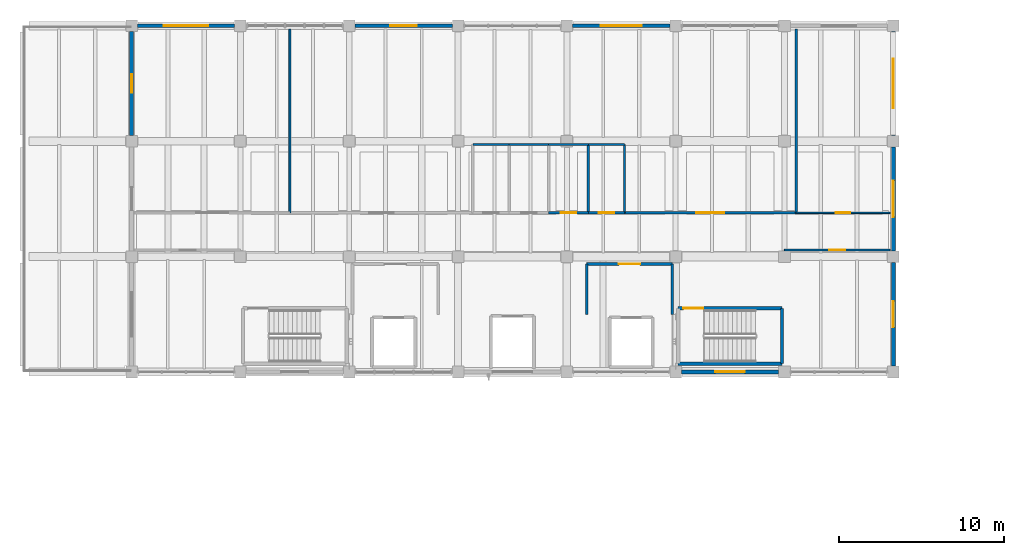
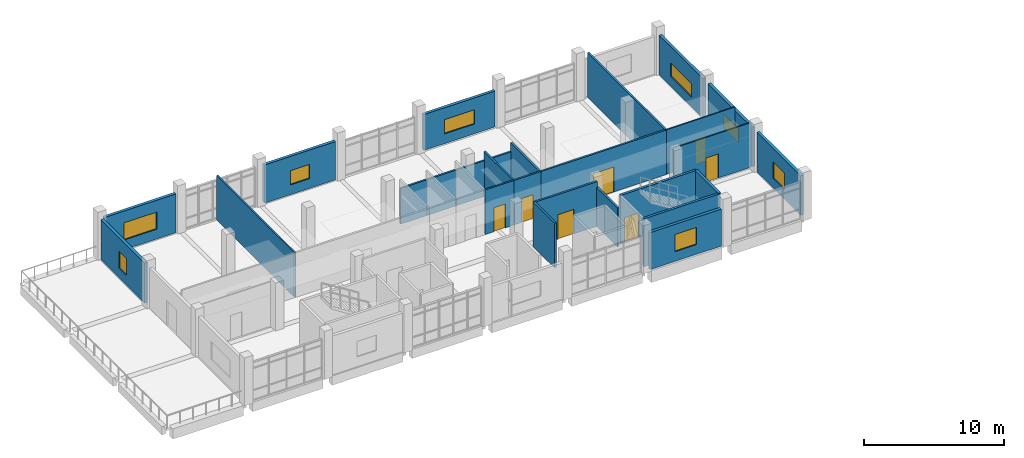
# One storey, part 15 of 20: 27 walls, 8 windows, 7 doors, 15 openings.
"""IFC4 building model written with IfcOpenShell, lengths in metres."""

import ifcopenshell
import ifcopenshell.guid

model = None  # the IFC model being written
_history = None  # IfcOwnerHistory: only IFC2X3 demands one
_inside = {}  # id of a spatial element -> (the spatial element, [elements in it])
_under = {}  # id of a project, library or spatial element -> (it, [spatial elements below it])
_declared = {}  # id of a project -> (the project, [libraries it declares])
_typed = {}  # id of a type object -> (the type object, [elements of that type])
_made_of = {}  # id of a material, layer set ... -> (it, [elements and type objects made of it])


def new_model(schema):
    """Start an empty IFC model of exactly this schema.

    Asked for "IFC4X3", IfcOpenShell would pick the latest addendum, in which some entities
    have other attributes; the version numbers below select the first issue.
    IFC2X3 requires an IfcOwnerHistory on every rooted entity: one is made here for all.
    """
    global model, _history
    if schema == "IFC4X3":
        model = ifcopenshell.file(schema_version=(4, 3, 0, 0))
    else:
        model = ifcopenshell.file(schema=schema)
    _inside.clear()
    _under.clear()
    _declared.clear()
    _typed.clear()
    _made_of.clear()
    _history = None
    if model.schema == "IFC2X3":
        org = make("IfcOrganization", Name="unknown")
        user = make(
            "IfcPersonAndOrganization",
            ThePerson=make("IfcPerson", FamilyName="unknown"),
            TheOrganization=org,
        )
        app = make(
            "IfcApplication",
            ApplicationDeveloper=org,
            Version="unknown",
            ApplicationFullName="unknown",
            ApplicationIdentifier="unknown",
        )
        _history = make(
            "IfcOwnerHistory",
            OwningUser=user,
            OwningApplication=app,
            ChangeAction="ADDED",
            CreationDate=0,
        )
    return model


def make(cls, **values):
    """One entity of the class cls with the attributes given. An attribute that is None is left unset."""
    return model.create_entity(
        cls, **{name: value for name, value in values.items() if value is not None}
    )


def rooted(cls, **values):
    """An entity with a GlobalId (a new one), such as an element, a storey or a relation."""
    return make(cls, GlobalId=ifcopenshell.guid.new(), OwnerHistory=_history, **values)


def si_unit(unit_type, name, prefix=None):
    """IfcSIUnit, for example si_unit("LENGTHUNIT", "METRE", prefix="MILLI")."""
    return make("IfcSIUnit", UnitType=unit_type, Prefix=prefix, Name=name)


def assignment(units):
    """IfcUnitAssignment: the units of a project."""
    return None if units is None else make("IfcUnitAssignment", Units=units)


def point(xyz):
    """IfcCartesianPoint."""
    return None if xyz is None else make("IfcCartesianPoint", Coordinates=xyz)


def direction(xyz):
    """IfcDirection."""
    return None if xyz is None else make("IfcDirection", DirectionRatios=xyz)


def frame(location, z_axis=None, x_axis=None):
    """IfcAxis2Placement3D, a coordinate frame: its origin and axes. An axis left out is left unset."""
    return make(
        "IfcAxis2Placement3D",
        Location=point(location),
        Axis=direction(z_axis),
        RefDirection=direction(x_axis),
    )


def frame_2d(location, x_axis=None):
    """IfcAxis2Placement2D, a coordinate frame in the plane: its origin and x axis."""
    return make(
        "IfcAxis2Placement2D", Location=point(location), RefDirection=direction(x_axis)
    )


def origin():
    """The frame at (0, 0, 0) with its axes left unset."""
    return frame((0.0, 0.0, 0.0))


def place(relative_to, where):
    """IfcLocalPlacement: puts the frame where relative to a parent placement (None: the world)."""
    return make(
        "IfcLocalPlacement", PlacementRelTo=relative_to, RelativePlacement=where
    )


def context(
    kind, dimensions, precision=None, world=None, true_north=None, identifier=None
):
    """IfcGeometricRepresentationContext, for example the 3D "Model" context."""
    return make(
        "IfcGeometricRepresentationContext",
        ContextIdentifier=identifier,
        ContextType=kind,
        CoordinateSpaceDimension=dimensions,
        Precision=precision,
        WorldCoordinateSystem=world,
        TrueNorth=true_north,
    )


def subcontext(parent, identifier, kind, view, scale=None):
    """IfcGeometricRepresentationSubContext, for example "Body" below "Model"."""
    return make(
        "IfcGeometricRepresentationSubContext",
        ContextIdentifier=identifier,
        ContextType=kind,
        ParentContext=parent,
        TargetScale=scale,
        TargetView=view,
    )


def project(units=None, contexts=None):
    """IfcProject with its units and contexts."""
    return rooted(
        "IfcProject",
        Name="project",
        RepresentationContexts=contexts,
        UnitsInContext=assignment(units),
    )


def spatial(cls, under=None, at=None, **own):
    """A site, building, storey or space (cls), placed at a placement, below another one or the project."""
    s = rooted(cls, ObjectPlacement=at, **own)
    if under is not None:
        _under.setdefault(under.id(), (under, []))[1].append(s)
    return s


def profile(cls, at=None, kind="AREA", **sizes):
    """A parametric profile (cls). Its sizes go by their IFC names, for example OverallWidth=200.0."""
    return make(cls, ProfileType=kind, Position=at, **sizes)


def rectangle(**sizes):
    """IfcRectangleProfileDef."""
    return profile("IfcRectangleProfileDef", **sizes)


def extrude(swept, where, along, depth):
    """IfcExtrudedAreaSolid: the profile swept, set in the frame where, extruded along a direction by depth."""
    return make(
        "IfcExtrudedAreaSolid",
        SweptArea=swept,
        Position=where,
        ExtrudedDirection=direction(along),
        Depth=depth,
    )


def shape(context_of_items, identifier, shape_type, items):
    """IfcShapeRepresentation: the items that make up one representation, for example the "Body"."""
    return make(
        "IfcShapeRepresentation",
        ContextOfItems=context_of_items,
        RepresentationIdentifier=identifier,
        RepresentationType=shape_type,
        Items=items,
    )


def material(Name=None, Category=None):
    """IfcMaterial."""
    return make("IfcMaterial", Name=Name, Category=Category)


def layer(
    of_material, thickness, ventilated=None, Name=None, Category=None, Priority=None
):
    """IfcMaterialLayer: one layer of a wall or slab, of a material (None: an air gap)."""
    return make(
        "IfcMaterialLayer",
        Material=of_material,
        LayerThickness=thickness,
        IsVentilated=ventilated,
        Name=Name,
        Category=Category,
        Priority=Priority,
    )


def layer_set(layers, Name=None):
    """IfcMaterialLayerSet."""
    return make("IfcMaterialLayerSet", MaterialLayers=layers, LayerSetName=Name)


def made_of(thing, what):
    """Note that an element or type object is made of a material, layer set ...; save() writes the relation."""
    if what is not None:
        _made_of.setdefault(what.id(), (what, []))[1].append(thing)
    return thing


def type_object(cls, material=None, **own):
    """A type object (cls), such as IfcWallType, which elements share."""
    return made_of(rooted(cls, **own), material)


def element(
    cls,
    number,
    at=None,
    inside=None,
    cuts=None,
    type_object=None,
    material=None,
    context=None,
    identifier="Body",
    shape_type=None,
    held_by="IfcProductDefinitionShape",
    body=None,
    shapes=None,
    **own,
):
    """One element of the class cls, such as IfcWall. Its Tag is "e" and its number.

    at: its placement. inside: the storey or other place that contains it. cuts: it is an
    opening in that element (IfcRelVoidsElement). A single representation is given by context,
    identifier, shape_type and body (its items); several are given by shapes. held_by: the class
    of the entity that holds the representations. save() writes the other relations.
    """
    e = rooted(cls, Tag="e%d" % number, ObjectPlacement=at, **own)
    if body is not None:
        shapes = [shape(context, identifier, shape_type, body)]
    if shapes is not None:
        e.Representation = make(held_by, Representations=shapes)
    if inside is not None:
        _inside.setdefault(inside.id(), (inside, []))[1].append(e)
    if cuts is not None:
        rooted(
            "IfcRelVoidsElement", RelatingBuildingElement=cuts, RelatedOpeningElement=e
        )
    if type_object is not None:
        _typed.setdefault(type_object.id(), (type_object, []))[1].append(e)
    return made_of(e, material)


def fill(opening, filler):
    """IfcRelFillsElement: the door or window that sits in an opening."""
    return rooted(
        "IfcRelFillsElement",
        RelatingOpeningElement=opening,
        RelatedBuildingElement=filler,
    )


def aggregate(whole, parts):
    """IfcRelAggregates: a whole, such as a stair, and the parts it consists of."""
    return rooted("IfcRelAggregates", RelatingObject=whole, RelatedObjects=parts)


def save(model, path):
    """Write the relations noted so far, then the file.

    IfcRelAggregates (storeys below a building ...), IfcRelContainedInSpatialStructure (elements
    in a storey), IfcRelDefinesByType, IfcRelAssociatesMaterial and IfcRelDeclares: one each for
    every whole, place, type object, material and project.
    """
    for whole, parts in _under.values():
        aggregate(whole, parts)
    for where, things in _inside.values():
        rooted(
            "IfcRelContainedInSpatialStructure",
            RelatedElements=things,
            RelatingStructure=where,
        )
    for kind, things in _typed.values():
        rooted("IfcRelDefinesByType", RelatedObjects=things, RelatingType=kind)
    for what, things in _made_of.values():
        rooted("IfcRelAssociatesMaterial", RelatedObjects=things, RelatingMaterial=what)
    for by, libraries in _declared.values():
        rooted("IfcRelDeclares", RelatingContext=by, RelatedDefinitions=libraries)
    model.write(path)


model = new_model("IFC4")

# Units and contexts
model_context = context("Model", 3, precision=1e-05, world=origin(), true_north=direction((0.0, 1.0)))
body_context = subcontext(model_context, "Body", "Model", "MODEL_VIEW")
ifc_project = project(units=[si_unit("LENGTHUNIT", "METRE"), si_unit("AREAUNIT", "SQUARE_METRE"), si_unit("VOLUMEUNIT", "CUBIC_METRE"), si_unit("PLANEANGLEUNIT", "RADIAN"), si_unit("MASSUNIT", "GRAM", prefix="KILO")], contexts=[model_context])

# Site, building, storey
site_placement = place(None, origin())
site = spatial("IfcSite", under=ifc_project, at=site_placement, CompositionType="ELEMENT")
building_placement = place(site_placement, origin())
building = spatial("IfcBuilding", under=site, at=building_placement, Name="Ciguamira Faculty of Natural Sciences", CompositionType="ELEMENT")
storey_placement = place(building_placement, frame((0.0, 0.0, 21.0)))
storey = spatial("IfcBuildingStorey", under=building, at=storey_placement, Name="L05", CompositionType="ELEMENT", Elevation=21.0)

# Wall, opening, window
ifc_material_1 = material(Name="Precast concrete C40/50", Category="concrete")
ifc_layer_1 = layer(ifc_material_1, 0.239990234375, Name="Precast concrete C40/50")
ifc_layer_set_1 = layer_set([ifc_layer_1], Name="Precast concrete C40/50")
wall_type_1 = type_object("IfcWallType", Name="ExtWall_EW-02_240", PredefinedType="SOLIDWALL", material=ifc_layer_set_1)
wall_1_placement = place(storey_placement, frame((97.25, 94.0, 0.0), z_axis=(0.0, 0.0, 1.0), x_axis=(1.0, 0.0, 0.0)))
wall_1 = element("IfcWall", 1, at=wall_1_placement, inside=storey, type_object=wall_type_1, Name="L05 exterior wall 0337", PredefinedType="SOLIDWALL", context=body_context, shape_type="SweptSolid", body=[
    extrude(rectangle(XDim=5.89990234375, YDim=0.239990234375, at=frame_2d((2.949951171875, 0.0))), origin(), (0.0, 0.0, 1.0), 3.235107421875),
])
opening_1_placement = place(wall_1_placement, frame((2.050048828125, 0.0, 0.85009765625)))
opening_1 = element("IfcOpeningElement", 2, at=opening_1_placement, cuts=wall_1, Name="Opening WT-10", PredefinedType="OPENING", context=body_context, shape_type="SweptSolid", body=[
    extrude(rectangle(XDim=1.800048828125, YDim=1.5, at=frame_2d((0.89990234375, 0.75))), frame((0.0, 0.1298828125, 0.0), z_axis=(0.0, -1.0, 0.0), x_axis=(1.0, 0.0, 0.0)), (0.0, 0.0, 1.0), 0.260009765625),
])
ifc_material_2 = material(Name="Hurricane laminated solar glass", Category="glass")
window_type_1 = type_object("IfcWindowType", Name="Window_WT-10_1800x1500", PartitioningType="DOUBLE_PANEL_VERTICAL", PredefinedType="WINDOW", material=ifc_material_2)
window_1_placement = place(opening_1_placement, origin())
window_1 = element("IfcWindow", 3, at=window_1_placement, inside=storey, type_object=window_type_1, Name="L05 facade window 0227", OverallHeight=1.5, OverallWidth=1.800048828125, PartitioningType="SINGLE_PANEL", PredefinedType="WINDOW", context=body_context, shape_type="SweptSolid", body=[
    extrude(rectangle(XDim=1.800048828125, YDim=1.5, at=frame_2d((0.89990234375, 0.75))), frame((0.0, 0.030029296875, 0.0), z_axis=(0.0, -1.0, 0.0), x_axis=(1.0, 0.0, 0.0)), (0.0, 0.0, 1.0), 0.06005859375),
])
fill(opening_1, window_1)

wall_2_placement = place(storey_placement, frame((64.25, 115.0, 0.0), z_axis=(0.0, 0.0, 1.0), x_axis=(1.0, 0.0, 0.0)))
wall_2 = element("IfcWall", 4, at=wall_2_placement, inside=storey, type_object=wall_type_1, Name="L05 exterior wall 0338", PredefinedType="SOLIDWALL", context=body_context, shape_type="SweptSolid", body=[
    extrude(rectangle(XDim=5.89990234375, YDim=0.239990234375, at=frame_2d((2.949951171875, 0.0))), origin(), (0.0, 0.0, 1.0), 3.385009765625),
])
opening_2_placement = place(wall_2_placement, frame((1.60009765625, 0.0, 0.85009765625)))
opening_2 = element("IfcOpeningElement", 5, at=opening_2_placement, cuts=wall_2, Name="Opening WT-13", PredefinedType="OPENING", context=body_context, shape_type="SweptSolid", body=[
    extrude(rectangle(XDim=2.699951171875, YDim=1.5, at=frame_2d((1.35009765625, 0.75))), frame((0.0, 0.1298828125, 0.0), z_axis=(0.0, -1.0, 0.0), x_axis=(1.0, 0.0, 0.0)), (0.0, 0.0, 1.0), 0.260009765625),
])
window_type_2 = type_object("IfcWindowType", Name="Window_WT-13_2700x1500", PartitioningType="DOUBLE_PANEL_VERTICAL", PredefinedType="WINDOW", material=ifc_material_2)
window_2_placement = place(opening_2_placement, origin())
window_2 = element("IfcWindow", 6, at=window_2_placement, inside=storey, type_object=window_type_2, Name="L05 facade window 0228", OverallHeight=1.5, OverallWidth=2.699951171875, PartitioningType="SINGLE_PANEL", PredefinedType="WINDOW", context=body_context, shape_type="SweptSolid", body=[
    extrude(rectangle(XDim=2.699951171875, YDim=1.5, at=frame_2d((1.35009765625, 0.75))), frame((0.0, 0.030029296875, 0.0), z_axis=(0.0, -1.0, 0.0), x_axis=(1.0, 0.0, 0.0)), (0.0, 0.0, 1.0), 0.06005859375),
])
fill(opening_2, window_2)

wall_3_placement = place(storey_placement, frame((77.449951171875, 115.0, 0.0), z_axis=(0.0, 0.0, 1.0), x_axis=(1.0, 0.0, 0.0)))
wall_3 = element("IfcWall", 7, at=wall_3_placement, inside=storey, type_object=wall_type_1, Name="L05 exterior wall 0339", PredefinedType="SOLIDWALL", context=body_context, shape_type="SweptSolid", body=[
    extrude(rectangle(XDim=5.900146484375, YDim=0.239990234375, at=frame_2d((2.9501953125, 0.0))), origin(), (0.0, 0.0, 1.0), 3.344970703125),
])
opening_3_placement = place(wall_3_placement, frame((2.14990234375, 0.0, 0.85009765625)))
opening_3 = element("IfcOpeningElement", 8, at=opening_3_placement, cuts=wall_3, Name="Opening WT-16", PredefinedType="OPENING", context=body_context, shape_type="SweptSolid", body=[
    extrude(rectangle(XDim=1.60009765625, YDim=1.25, at=frame_2d((0.800048828125, 0.625))), frame((0.0, 0.1298828125, 0.0), z_axis=(0.0, -1.0, 0.0), x_axis=(1.0, 0.0, 0.0)), (0.0, 0.0, 1.0), 0.260009765625),
])
window_type_3 = type_object("IfcWindowType", Name="Window_WT-16_1600x1250", PartitioningType="DOUBLE_PANEL_VERTICAL", PredefinedType="WINDOW", material=ifc_material_2)
window_3_placement = place(opening_3_placement, origin())
window_3 = element("IfcWindow", 9, at=window_3_placement, inside=storey, type_object=window_type_3, Name="L05 facade window 0229", OverallHeight=1.25, OverallWidth=1.60009765625, PartitioningType="SINGLE_PANEL", PredefinedType="WINDOW", context=body_context, shape_type="SweptSolid", body=[
    extrude(rectangle(XDim=1.60009765625, YDim=1.25, at=frame_2d((0.800048828125, 0.625))), frame((0.0, 0.030029296875, 0.0), z_axis=(0.0, -1.0, 0.0), x_axis=(1.0, 0.0, 0.0)), (0.0, 0.0, 1.0), 0.06005859375),
])
fill(opening_3, window_3)

wall_4_placement = place(storey_placement, frame((90.64990234375, 115.0, 0.0), z_axis=(0.0, 0.0, 1.0), x_axis=(1.0, 0.0, 0.0)))
wall_4 = element("IfcWall", 10, at=wall_4_placement, inside=storey, type_object=wall_type_1, Name="L05 exterior wall 0340", PredefinedType="SOLIDWALL", context=body_context, shape_type="SweptSolid", body=[
    extrude(rectangle(XDim=5.900146484375, YDim=0.239990234375, at=frame_2d((2.9501953125, 0.0))), origin(), (0.0, 0.0, 1.0), 3.135009765625),
])
opening_4_placement = place(wall_4_placement, frame((1.699951171875, 0.0, 0.85009765625)))
opening_4 = element("IfcOpeningElement", 11, at=opening_4_placement, cuts=wall_4, Name="Opening WT-19", PredefinedType="OPENING", context=body_context, shape_type="SweptSolid", body=[
    extrude(rectangle(XDim=2.5, YDim=1.25, at=frame_2d((1.25, 0.625))), frame((0.0, 0.1298828125, 0.0), z_axis=(0.0, -1.0, 0.0), x_axis=(1.0, 0.0, 0.0)), (0.0, 0.0, 1.0), 0.260009765625),
])
window_type_4 = type_object("IfcWindowType", Name="Window_WT-19_2500x1250", PartitioningType="DOUBLE_PANEL_VERTICAL", PredefinedType="WINDOW", material=ifc_material_2)
window_4_placement = place(opening_4_placement, origin())
window_4 = element("IfcWindow", 12, at=window_4_placement, inside=storey, type_object=window_type_4, Name="L05 facade window 0230", OverallHeight=1.25, OverallWidth=2.5, PartitioningType="SINGLE_PANEL", PredefinedType="WINDOW", context=body_context, shape_type="SweptSolid", body=[
    extrude(rectangle(XDim=2.5, YDim=1.25, at=frame_2d((1.25, 0.625))), frame((0.0, 0.030029296875, 0.0), z_axis=(0.0, -1.0, 0.0), x_axis=(1.0, 0.0, 0.0)), (0.0, 0.0, 1.0), 0.06005859375),
])
fill(opening_4, window_4)

wall_5_placement = place(storey_placement, frame((63.89990234375, 108.35009765625, 0.0), z_axis=(0.0, 0.0, 1.0), x_axis=(0.0, 1.0, 0.0)))
wall_5 = element("IfcWall", 13, at=wall_5_placement, inside=storey, type_object=wall_type_1, Name="L05 exterior wall 0344", PredefinedType="SOLIDWALL", context=body_context, shape_type="SweptSolid", body=[
    extrude(rectangle(XDim=6.2998046875, YDim=0.239990234375, at=frame_2d((3.14990234375, 0.0))), origin(), (0.0, 0.0, 1.0), 3.5048828125),
])
opening_5_placement = place(wall_5_placement, frame((2.60009765625, 0.0, 0.85009765625)))
opening_5 = element("IfcOpeningElement", 14, at=opening_5_placement, cuts=wall_5, Name="Opening WT-27", PredefinedType="OPENING", context=body_context, shape_type="SweptSolid", body=[
    extrude(rectangle(XDim=1.10009765625, YDim=1.449951171875, at=frame_2d((0.550048828125, 0.72509765625))), frame((0.0, 0.1298828125, 0.0), z_axis=(0.0, -1.0, 0.0), x_axis=(1.0, 0.0, 0.0)), (0.0, 0.0, 1.0), 0.260009765625),
])
window_type_5 = type_object("IfcWindowType", Name="Window_WT-27_1100x1450", PartitioningType="DOUBLE_PANEL_VERTICAL", PredefinedType="WINDOW", material=ifc_material_2)
window_5_placement = place(opening_5_placement, origin())
window_5 = element("IfcWindow", 15, at=window_5_placement, inside=storey, type_object=window_type_5, Name="L05 facade window 0233", OverallHeight=1.449951171875, OverallWidth=1.10009765625, PartitioningType="SINGLE_PANEL", PredefinedType="WINDOW", context=body_context, shape_type="SweptSolid", body=[
    extrude(rectangle(XDim=1.10009765625, YDim=1.449951171875, at=frame_2d((0.550048828125, 0.72509765625))), frame((0.0, 0.030029296875, 0.0), z_axis=(0.0, -1.0, 0.0), x_axis=(1.0, 0.0, 0.0)), (0.0, 0.0, 1.0), 0.06005859375),
])
fill(opening_5, window_5)

wall_6_placement = place(storey_placement, frame((110.10009765625, 94.35009765625, 0.0), z_axis=(0.0, 0.0, 1.0), x_axis=(0.0, 1.0, 0.0)))
wall_6 = element("IfcWall", 16, at=wall_6_placement, inside=storey, type_object=wall_type_1, Name="L05 exterior wall 0345", PredefinedType="SOLIDWALL", context=body_context, shape_type="SweptSolid", body=[
    extrude(rectangle(XDim=6.2998046875, YDim=0.239990234375, at=frame_2d((3.14990234375, 0.0))), origin(), (0.0, 0.0, 1.0), 3.465087890625),
])
opening_6_placement = place(wall_6_placement, frame((2.35009765625, 0.0, 0.85009765625)))
opening_6 = element("IfcOpeningElement", 17, at=opening_6_placement, cuts=wall_6, Name="Opening WT-29", PredefinedType="OPENING", context=body_context, shape_type="SweptSolid", body=[
    extrude(rectangle(XDim=1.60009765625, YDim=1.449951171875, at=frame_2d((0.800048828125, 0.72509765625))), frame((0.0, 0.1298828125, 0.0), z_axis=(0.0, -1.0, 0.0), x_axis=(1.0, 0.0, 0.0)), (0.0, 0.0, 1.0), 0.260009765625),
])
window_type_6 = type_object("IfcWindowType", Name="Window_WT-29_1600x1450", PartitioningType="DOUBLE_PANEL_VERTICAL", PredefinedType="WINDOW", material=ifc_material_2)
window_6_placement = place(opening_6_placement, origin())
window_6 = element("IfcWindow", 18, at=window_6_placement, inside=storey, type_object=window_type_6, Name="L05 facade window 0234", OverallHeight=1.449951171875, OverallWidth=1.60009765625, PartitioningType="SINGLE_PANEL", PredefinedType="WINDOW", context=body_context, shape_type="SweptSolid", body=[
    extrude(rectangle(XDim=1.60009765625, YDim=1.449951171875, at=frame_2d((0.800048828125, 0.72509765625))), frame((0.0, 0.030029296875, 0.0), z_axis=(0.0, -1.0, 0.0), x_axis=(1.0, 0.0, 0.0)), (0.0, 0.0, 1.0), 0.06005859375),
])
fill(opening_6, window_6)

wall_7_placement = place(storey_placement, frame((110.10009765625, 101.35009765625, 0.0), z_axis=(0.0, 0.0, 1.0), x_axis=(0.0, 1.0, 0.0)))
wall_7 = element("IfcWall", 19, at=wall_7_placement, inside=storey, type_object=wall_type_1, Name="L05 exterior wall 0346", PredefinedType="SOLIDWALL", context=body_context, shape_type="SweptSolid", body=[
    extrude(rectangle(XDim=6.2998046875, YDim=0.239990234375, at=frame_2d((3.14990234375, 0.0))), origin(), (0.0, 0.0, 1.0), 3.465087890625),
])
opening_7_placement = place(wall_7_placement, frame((2.050048828125, 0.0, 0.85009765625)))
opening_7 = element("IfcOpeningElement", 20, at=opening_7_placement, cuts=wall_7, Name="Opening WT-31", PredefinedType="OPENING", context=body_context, shape_type="SweptSolid", body=[
    extrude(rectangle(XDim=2.199951171875, YDim=1.199951171875, at=frame_2d((1.10009765625, 0.60009765625))), frame((0.0, 0.1298828125, 0.0), z_axis=(0.0, -1.0, 0.0), x_axis=(1.0, 0.0, 0.0)), (0.0, 0.0, 1.0), 0.260009765625),
])
window_type_7 = type_object("IfcWindowType", Name="Window_WT-31_2200x1200", PartitioningType="DOUBLE_PANEL_VERTICAL", PredefinedType="WINDOW", material=ifc_material_2)
window_7_placement = place(opening_7_placement, origin())
window_7 = element("IfcWindow", 21, at=window_7_placement, inside=storey, type_object=window_type_7, Name="L05 facade window 0235", OverallHeight=1.199951171875, OverallWidth=2.199951171875, PartitioningType="SINGLE_PANEL", PredefinedType="WINDOW", context=body_context, shape_type="SweptSolid", body=[
    extrude(rectangle(XDim=2.199951171875, YDim=1.199951171875, at=frame_2d((1.10009765625, 0.60009765625))), frame((0.0, 0.030029296875, 0.0), z_axis=(0.0, -1.0, 0.0), x_axis=(1.0, 0.0, 0.0)), (0.0, 0.0, 1.0), 0.06005859375),
])
fill(opening_7, window_7)

wall_8_placement = place(storey_placement, frame((110.10009765625, 108.35009765625, 0.0), z_axis=(0.0, 0.0, 1.0), x_axis=(0.0, 1.0, 0.0)))
wall_8 = element("IfcWall", 22, at=wall_8_placement, inside=storey, type_object=wall_type_1, Name="L05 exterior wall 0347", PredefinedType="SOLIDWALL", context=body_context, shape_type="SweptSolid", body=[
    extrude(rectangle(XDim=6.2998046875, YDim=0.239990234375, at=frame_2d((3.14990234375, 0.0))), origin(), (0.0, 0.0, 1.0), 3.465087890625),
])
opening_8_placement = place(wall_8_placement, frame((1.64990234375, 0.0, 0.85009765625)))
opening_8 = element("IfcOpeningElement", 23, at=opening_8_placement, cuts=wall_8, Name="Opening WT-33", PredefinedType="OPENING", context=body_context, shape_type="SweptSolid", body=[
    extrude(rectangle(XDim=3.0, YDim=1.199951171875, at=frame_2d((1.5, 0.60009765625))), frame((0.0, 0.1298828125, 0.0), z_axis=(0.0, -1.0, 0.0), x_axis=(1.0, 0.0, 0.0)), (0.0, 0.0, 1.0), 0.260009765625),
])
window_type_8 = type_object("IfcWindowType", Name="Window_WT-33_3000x1200", PartitioningType="DOUBLE_PANEL_VERTICAL", PredefinedType="WINDOW", material=ifc_material_2)
window_8_placement = place(opening_8_placement, origin())
window_8 = element("IfcWindow", 24, at=window_8_placement, inside=storey, type_object=window_type_8, Name="L05 facade window 0236", OverallHeight=1.199951171875, OverallWidth=3.0, PartitioningType="SINGLE_PANEL", PredefinedType="WINDOW", context=body_context, shape_type="SweptSolid", body=[
    extrude(rectangle(XDim=3.0, YDim=1.199951171875, at=frame_2d((1.5, 0.60009765625))), frame((0.0, 0.030029296875, 0.0), z_axis=(0.0, -1.0, 0.0), x_axis=(1.0, 0.0, 0.0)), (0.0, 0.0, 1.0), 0.06005859375),
])
fill(opening_8, window_8)

# Wall
ifc_material_3 = material(Name="Concrete C40/50", Category="concrete")
ifc_layer_2 = layer(ifc_material_3, 0.199951171875, Name="Concrete C40/50")
ifc_layer_set_2 = layer_set([ifc_layer_2], Name="Concrete C40/50")
wall_type_2 = type_object("IfcWallType", Name="IntWall_CW-S20_200", PredefinedType="SHEAR", material=ifc_layer_set_2)
wall_9_placement = place(storey_placement, frame((97.050048828125, 94.5, 0.0), z_axis=(0.0, 0.0, 1.0), x_axis=(1.0, 0.0, 0.0)))
element("IfcWall", 25, at=wall_9_placement, inside=storey, type_object=wall_type_2, Name="L05 ST-T2 core shear wall south", PredefinedType="SHEAR", context=body_context, shape_type="SweptSolid", body=[
    extrude(rectangle(XDim=6.300048828125, YDim=0.199951171875, at=frame_2d((3.14990234375, 0.0))), origin(), (0.0, 0.0, 1.0), 4.199951171875),
])

# Wall, opening, door
wall_10_placement = place(storey_placement, frame((97.050048828125, 97.860107421875, 0.0), z_axis=(0.0, 0.0, 1.0), x_axis=(1.0, 0.0, 0.0)))
wall_10 = element("IfcWall", 26, at=wall_10_placement, inside=storey, type_object=wall_type_2, Name="L05 ST-T2 core shear wall north", PredefinedType="SHEAR", context=body_context, shape_type="SweptSolid", body=[
    extrude(rectangle(XDim=6.300048828125, YDim=0.199951171875, at=frame_2d((3.14990234375, 0.0))), origin(), (0.0, 0.0, 1.0), 4.199951171875),
])
opening_9_placement = place(wall_10_placement, frame((0.320068359375, 0.0, 0.0)))
opening_9 = element("IfcOpeningElement", 27, at=opening_9_placement, cuts=wall_10, Name="Opening ID-14", PredefinedType="OPENING", context=body_context, shape_type="SweptSolid", body=[
    extrude(rectangle(XDim=1.199951171875, YDim=2.14990234375, at=frame_2d((0.60009765625, 1.074951171875))), frame((0.0, 0.10986328125, 0.0), z_axis=(0.0, -1.0, 0.0), x_axis=(1.0, 0.0, 0.0)), (0.0, 0.0, 1.0), 0.219970703125),
])
ifc_material_4 = material(Name="Protected exit stair fire door")
door_type_1 = type_object("IfcDoorType", Name="IntDoor_ID-14_1200x2150", OperationType="NOTDEFINED", PredefinedType="DOOR", material=ifc_material_4)
door_1_placement = place(opening_9_placement, frame((1.199951171875, 0.0, 0.0), z_axis=(0.0, 0.0, 1.0), x_axis=(-1.0, 0.0, 0.0)))
door_1 = element("IfcDoor", 28, at=door_1_placement, inside=storey, type_object=door_type_1, Name="L05 ST-T2 exit stair fire door", OperationType="SINGLE_SWING_RIGHT", OverallHeight=2.14990234375, OverallWidth=1.199951171875, PredefinedType="DOOR", context=body_context, shape_type="SweptSolid", body=[
    extrude(rectangle(XDim=1.199951171875, YDim=2.14990234375, at=frame_2d((0.60009765625, 1.074951171875))), frame((0.0, 0.02490234375, 0.0), z_axis=(0.0, -1.0, 0.0), x_axis=(1.0, 0.0, 0.0)), (0.0, 0.0, 1.0), 0.050048828125),
])
fill(opening_9, door_1)

# Wall
wall_11_placement = place(storey_placement, frame((103.35009765625, 94.5, 0.0), z_axis=(0.0, 0.0, 1.0), x_axis=(0.0, 1.0, 0.0)))
element("IfcWall", 29, at=wall_11_placement, inside=storey, type_object=wall_type_2, Name="L05 ST-T2 core shear wall east", PredefinedType="SHEAR", context=body_context, shape_type="SweptSolid", body=[
    extrude(rectangle(XDim=3.360107421875, YDim=0.199951171875, at=frame_2d((1.68017578125, 0.0))), origin(), (0.0, 0.0, 1.0), 4.199951171875),
])

# Wall, opening, door
ifc_material_5 = material(Name="Fire-rated gypsum partition")
ifc_layer_3 = layer(ifc_material_5, 0.10009765625, Name="Fire-rated gypsum partition")
ifc_layer_set_3 = layer_set([ifc_layer_3], Name="Fire-rated gypsum partition")
wall_type_3 = type_object("IfcWallType", Name="IntWall_IW-A10_100", PredefinedType="PARTITIONING", material=ifc_layer_set_3)
wall_12_placement = place(storey_placement, frame((104.199951171875, 103.64990234375, 0.0), z_axis=(0.0, 0.0, 1.0), x_axis=(1.0, 0.0, 0.0)))
wall_12 = element("IfcWall", 30, at=wall_12_placement, inside=storey, type_object=wall_type_3, Name="L05 Senior Research Staff Offices partition south", PredefinedType="PARTITIONING", context=body_context, shape_type="SweptSolid", body=[
    extrude(rectangle(XDim=5.699951171875, YDim=0.10009765625, at=frame_2d((2.85009765625, 0.0))), origin(), (0.0, 0.0, 1.0), 3.89990234375),
])
opening_10_placement = place(wall_12_placement, frame((2.39990234375, 0.0, 0.0)))
opening_10 = element("IfcOpeningElement", 31, at=opening_10_placement, cuts=wall_12, Name="Opening ID-01", PredefinedType="OPENING", context=body_context, shape_type="SweptSolid", body=[
    extrude(rectangle(XDim=0.89990234375, YDim=2.10009765625, at=frame_2d((0.449951171875, 1.050048828125))), frame((0.0, 0.06005859375, 0.0), z_axis=(0.0, -1.0, 0.0), x_axis=(1.0, 0.0, 0.0)), (0.0, 0.0, 1.0), 0.1201171875),
])
ifc_material_6 = material(Name="Single timber office door", Category="wood")
door_type_2 = type_object("IfcDoorType", Name="IntDoor_ID-01_900x2100", OperationType="NOTDEFINED", PredefinedType="DOOR", material=ifc_material_6)
door_2_placement = place(opening_10_placement, origin())
door_2 = element("IfcDoor", 32, at=door_2_placement, inside=storey, type_object=door_type_2, Name="L05 Senior Research Staff Offices door", OperationType="SINGLE_SWING_RIGHT", OverallHeight=2.10009765625, OverallWidth=0.89990234375, PredefinedType="DOOR", context=body_context, shape_type="SweptSolid", body=[
    extrude(rectangle(XDim=0.89990234375, YDim=2.10009765625, at=frame_2d((0.449951171875, 1.050048828125))), frame((0.0, 0.02490234375, 0.0), z_axis=(0.0, -1.0, 0.0), x_axis=(1.0, 0.0, 0.0)), (0.0, 0.0, 1.0), 0.050048828125),
])
fill(opening_10, door_2)

wall_13_placement = place(storey_placement, frame((103.5, 101.39990234375, 0.0), z_axis=(0.0, 0.0, 1.0), x_axis=(1.0, 0.0, 0.0)))
wall_13 = element("IfcWall", 33, at=wall_13_placement, inside=storey, type_object=wall_type_3, Name="L05 Chemical Safety Records Room partition north", PredefinedType="PARTITIONING", context=body_context, shape_type="SweptSolid", body=[
    extrude(rectangle(XDim=6.39990234375, YDim=0.10009765625, at=frame_2d((3.199951171875, 0.0))), origin(), (0.0, 0.0, 1.0), 3.89990234375),
])
opening_11_placement = place(wall_13_placement, frame((2.699951171875, 0.0, 0.0)))
opening_11 = element("IfcOpeningElement", 34, at=opening_11_placement, cuts=wall_13, Name="Opening ID-03", PredefinedType="OPENING", context=body_context, shape_type="SweptSolid", body=[
    extrude(rectangle(XDim=1.0, YDim=2.10009765625, at=frame_2d((0.5, 1.050048828125))), frame((0.0, 0.06005859375, 0.0), z_axis=(0.0, -1.0, 0.0), x_axis=(1.0, 0.0, 0.0)), (0.0, 0.0, 1.0), 0.1201171875),
])
ifc_material_7 = material(Name="Restroom lobby fire door")
door_type_3 = type_object("IfcDoorType", Name="IntDoor_ID-03_1000x2100", OperationType="NOTDEFINED", PredefinedType="DOOR", material=ifc_material_7)
door_3_placement = place(opening_11_placement, frame((1.0, 0.0, 0.0), z_axis=(0.0, 0.0, 1.0), x_axis=(-1.0, 0.0, 0.0)))
door_3 = element("IfcDoor", 35, at=door_3_placement, inside=storey, type_object=door_type_3, Name="L05 Chemical Safety Records Room door", OperationType="SINGLE_SWING_RIGHT", OverallHeight=2.10009765625, OverallWidth=1.0, PredefinedType="DOOR", context=body_context, shape_type="SweptSolid", body=[
    extrude(rectangle(XDim=1.0, YDim=2.10009765625, at=frame_2d((0.5, 1.050048828125))), frame((0.0, 0.02490234375, 0.0), z_axis=(0.0, -1.0, 0.0), x_axis=(1.0, 0.0, 0.0)), (0.0, 0.0, 1.0), 0.050048828125),
])
fill(opening_11, door_3)

# Wall
ifc_material_8 = material(Name="Acoustic double-stud gypsum partition")
ifc_layer_4 = layer(ifc_material_8, 0.1201171875, Name="Acoustic double-stud gypsum partition")
ifc_layer_set_4 = layer_set([ifc_layer_4], Name="Acoustic double-stud gypsum partition")
wall_type_4 = type_object("IfcWallType", Name="IntWall_IW-A12_120", PredefinedType="PARTITIONING", material=ifc_layer_set_4)
wall_14_placement = place(storey_placement, frame((73.5, 103.64990234375, 0.0), z_axis=(0.0, 0.0, 1.0), x_axis=(0.0, 1.0, 0.0)))
element("IfcWall", 36, at=wall_14_placement, inside=storey, type_object=wall_type_4, Name="L05 West Terrace Faculty Seminar Lounge partition east", PredefinedType="PARTITIONING", context=body_context, shape_type="SweptSolid", body=[
    extrude(rectangle(XDim=11.150146484375, YDim=0.1201171875, at=frame_2d((5.5751953125, 0.0))), origin(), (0.0, 0.0, 1.0), 3.89990234375),
])

# Wall, opening, door
ifc_material_9 = material(Name="Fire-rated blockwork wall", Category="masonry")
ifc_layer_5 = layer(ifc_material_9, 0.159912109375, Name="Fire-rated blockwork wall")
ifc_layer_set_5 = layer_set([ifc_layer_5], Name="Fire-rated blockwork wall")
wall_type_5 = type_object("IfcWallType", Name="IntWall_IW-F16_160", PredefinedType="SOLIDWALL", material=ifc_layer_set_5)
wall_15_placement = place(storey_placement, frame((91.5, 100.550048828125, 0.0), z_axis=(0.0, 0.0, 1.0), x_axis=(1.0, 0.0, 0.0)))
wall_15 = element("IfcWall", 37, at=wall_15_placement, inside=storey, type_object=wall_type_5, Name="L05 Firefighting Lift Lobby 2 partition north", PredefinedType="SOLIDWALL", context=body_context, shape_type="SweptSolid", body=[
    extrude(rectangle(XDim=5.199951171875, YDim=0.159912109375, at=frame_2d((2.60009765625, 0.0))), origin(), (0.0, 0.0, 1.0), 3.89990234375),
])
opening_12_placement = place(wall_15_placement, frame((1.949951171875, 0.0, 0.0)))
opening_12 = element("IfcOpeningElement", 38, at=opening_12_placement, cuts=wall_15, Name="Opening ID-15", PredefinedType="OPENING", context=body_context, shape_type="SweptSolid", body=[
    extrude(rectangle(XDim=1.300048828125, YDim=2.14990234375, at=frame_2d((0.64990234375, 1.074951171875))), frame((0.0, 0.08984375, 0.0), z_axis=(0.0, -1.0, 0.0), x_axis=(1.0, 0.0, 0.0)), (0.0, 0.0, 1.0), 0.179931640625),
])
ifc_material_10 = material(Name="Firefighting lift lobby fire door")
door_type_4 = type_object("IfcDoorType", Name="IntDoor_ID-15_1300x2150", OperationType="NOTDEFINED", PredefinedType="DOOR", material=ifc_material_10)
door_4_placement = place(opening_12_placement, frame((1.300048828125, 0.0, 0.0), z_axis=(0.0, 0.0, 1.0), x_axis=(-1.0, 0.0, 0.0)))
door_4 = element("IfcDoor", 39, at=door_4_placement, inside=storey, type_object=door_type_4, Name="L05 Firefighting Lift Lobby 2 door", OperationType="SINGLE_SWING_RIGHT", OverallHeight=2.14990234375, OverallWidth=1.300048828125, PredefinedType="DOOR", context=body_context, shape_type="SweptSolid", body=[
    extrude(rectangle(XDim=1.300048828125, YDim=2.14990234375, at=frame_2d((0.64990234375, 1.074951171875))), frame((0.0, 0.02490234375, 0.0), z_axis=(0.0, -1.0, 0.0), x_axis=(1.0, 0.0, 0.0)), (0.0, 0.0, 1.0), 0.050048828125),
])
fill(opening_12, door_4)

# Walls
wall_16_placement = place(storey_placement, frame((91.5, 97.5, 0.0), z_axis=(0.0, 0.0, 1.0), x_axis=(0.0, 1.0, 0.0)))
element("IfcWall", 40, at=wall_16_placement, inside=storey, type_object=wall_type_5, Name="L05 Firefighting Lift Lobby 2 partition west", PredefinedType="SOLIDWALL", context=body_context, shape_type="SweptSolid", body=[
    extrude(rectangle(XDim=3.050048828125, YDim=0.159912109375, at=frame_2d((1.52490234375, 0.0))), origin(), (0.0, 0.0, 1.0), 3.89990234375),
])
wall_17_placement = place(storey_placement, frame((96.699951171875, 97.5, 0.0), z_axis=(0.0, 0.0, 1.0), x_axis=(0.0, 1.0, 0.0)))
element("IfcWall", 41, at=wall_17_placement, inside=storey, type_object=wall_type_5, Name="L05 Firefighting Lift Lobby 2 partition east", PredefinedType="SOLIDWALL", context=body_context, shape_type="SweptSolid", body=[
    extrude(rectangle(XDim=3.050048828125, YDim=0.159912109375, at=frame_2d((1.52490234375, 0.0))), origin(), (0.0, 0.0, 1.0), 3.405029296875),
])

# Wall, opening, door
ifc_material_11 = material(Name="Acoustic laboratory corridor partition")
ifc_layer_6 = layer(ifc_material_11, 0.14990234375, Name="Acoustic laboratory corridor partition")
ifc_layer_set_6 = layer_set([ifc_layer_6], Name="Acoustic laboratory corridor partition")
wall_type_6 = type_object("IfcWallType", Name="IntWall_IW-G15_150", PredefinedType="PARTITIONING", material=ifc_layer_set_6)
wall_18_placement = place(storey_placement, frame((93.800048828125, 103.64990234375, 0.0), z_axis=(0.0, 0.0, 1.0), x_axis=(1.0, 0.0, 0.0)))
wall_18 = element("IfcWall", 42, at=wall_18_placement, inside=storey, type_object=wall_type_6, Name="L05 Natural Products Synthesis Laboratory partition south", PredefinedType="PARTITIONING", context=body_context, shape_type="SweptSolid", body=[
    extrude(rectangle(XDim=10.39990234375, YDim=0.14990234375, at=frame_2d((5.199951171875, 0.0))), origin(), (0.0, 0.0, 1.0), 3.89990234375),
])
opening_13_placement = place(wall_18_placement, frame((4.35009765625, 0.0, 0.0)))
opening_13 = element("IfcOpeningElement", 43, at=opening_13_placement, cuts=wall_18, Name="Opening ID-18", PredefinedType="OPENING", context=body_context, shape_type="SweptSolid", body=[
    extrude(rectangle(XDim=1.699951171875, YDim=2.199951171875, at=frame_2d((0.85009765625, 1.10009765625))), frame((0.0, 0.0849609375, 0.0), z_axis=(0.0, -1.0, 0.0), x_axis=(1.0, 0.0, 0.0)), (0.0, 0.0, 1.0), 0.169921875),
])
ifc_material_12 = material(Name="Archive vault rated door")
door_type_5 = type_object("IfcDoorType", Name="IntDoor_ID-18_1700x2200", OperationType="NOTDEFINED", PredefinedType="DOOR", material=ifc_material_12)
door_5_placement = place(opening_13_placement, origin())
door_5 = element("IfcDoor", 44, at=door_5_placement, inside=storey, type_object=door_type_5, Name="L05 Natural Products Synthesis Laboratory door", OperationType="SINGLE_SWING_LEFT", OverallHeight=2.199951171875, OverallWidth=1.699951171875, PredefinedType="DOOR", context=body_context, shape_type="SweptSolid", body=[
    extrude(rectangle(XDim=1.699951171875, YDim=2.199951171875, at=frame_2d((0.85009765625, 1.10009765625))), frame((0.0, 0.02490234375, 0.0), z_axis=(0.0, -1.0, 0.0), x_axis=(1.0, 0.0, 0.0)), (0.0, 0.0, 1.0), 0.050048828125),
])
fill(opening_13, door_5)

# Walls
wall_19_placement = place(storey_placement, frame((104.199951171875, 103.64990234375, 0.0), z_axis=(0.0, 0.0, 1.0), x_axis=(0.0, 1.0, 0.0)))
element("IfcWall", 45, at=wall_19_placement, inside=storey, type_object=wall_type_6, Name="L05 Natural Products Synthesis Laboratory partition east", PredefinedType="PARTITIONING", context=body_context, shape_type="SweptSolid", body=[
    extrude(rectangle(XDim=11.150146484375, YDim=0.14990234375, at=frame_2d((5.5751953125, 0.0))), origin(), (0.0, 0.0, 1.0), 3.89990234375),
])
ifc_material_13 = material(Name="Moisture-resistant service chase wall")
ifc_layer_7 = layer(ifc_material_13, 0.139892578125, Name="Moisture-resistant service chase wall")
ifc_layer_set_7 = layer_set([ifc_layer_7], Name="Moisture-resistant service chase wall")
wall_type_7 = type_object("IfcWallType", Name="IntWall_IW-P14_140", PredefinedType="PLUMBINGWALL", material=ifc_layer_set_7)
wall_20_placement = place(storey_placement, frame((84.60009765625, 107.800048828125, 0.0), z_axis=(0.0, 0.0, 1.0), x_axis=(1.0, 0.0, 0.0)))
element("IfcWall", 46, at=wall_20_placement, inside=storey, type_object=wall_type_7, Name="L05 Accessible WC partition north", PredefinedType="PLUMBINGWALL", context=body_context, shape_type="SweptSolid", body=[
    extrude(rectangle(XDim=2.199951171875, YDim=0.139892578125, at=frame_2d((1.10009765625, 0.0))), origin(), (0.0, 0.0, 1.0), 3.135009765625),
])
wall_21_placement = place(storey_placement, frame((86.800048828125, 107.800048828125, 0.0), z_axis=(0.0, 0.0, 1.0), x_axis=(1.0, 0.0, 0.0)))
element("IfcWall", 47, at=wall_21_placement, inside=storey, type_object=wall_type_7, Name="L05 Public Restroom Female partition north", PredefinedType="PLUMBINGWALL", context=body_context, shape_type="SweptSolid", body=[
    extrude(rectangle(XDim=2.39990234375, YDim=0.139892578125, at=frame_2d((1.199951171875, 0.0))), origin(), (0.0, 0.0, 1.0), 3.135009765625),
])

# Wall, opening, door
wall_22_placement = place(storey_placement, frame((89.199951171875, 103.64990234375, 0.0), z_axis=(0.0, 0.0, 1.0), x_axis=(1.0, 0.0, 0.0)))
wall_22 = element("IfcWall", 48, at=wall_22_placement, inside=storey, type_object=wall_type_7, Name="L05 Public Restroom Male partition south", PredefinedType="PLUMBINGWALL", context=body_context, shape_type="SweptSolid", body=[
    extrude(rectangle(XDim=2.400146484375, YDim=0.139892578125, at=frame_2d((1.2001953125, 0.0))), origin(), (0.0, 0.0, 1.0), 3.89990234375),
])
opening_14_placement = place(wall_22_placement, frame((0.72509765625, 0.0, 0.0)))
opening_14 = element("IfcOpeningElement", 49, at=opening_14_placement, cuts=wall_22, Name="Opening ID-02", PredefinedType="OPENING", context=body_context, shape_type="SweptSolid", body=[
    extrude(rectangle(XDim=0.949951171875, YDim=2.10009765625, at=frame_2d((0.47509765625, 1.050048828125))), frame((0.0, 0.079833984375, 0.0), z_axis=(0.0, -1.0, 0.0), x_axis=(1.0, 0.0, 0.0)), (0.0, 0.0, 1.0), 0.159912109375),
])
ifc_material_14 = material(Name="Accessible WC outward-clear door")
door_type_6 = type_object("IfcDoorType", Name="IntDoor_ID-02_950x2100", OperationType="NOTDEFINED", PredefinedType="DOOR", material=ifc_material_14)
door_6_placement = place(opening_14_placement, origin())
door_6 = element("IfcDoor", 50, at=door_6_placement, inside=storey, type_object=door_type_6, Name="L05 Public Restroom Male door", OperationType="SINGLE_SWING_LEFT", OverallHeight=2.10009765625, OverallWidth=0.949951171875, PredefinedType="DOOR", context=body_context, shape_type="SweptSolid", body=[
    extrude(rectangle(XDim=0.949951171875, YDim=2.10009765625, at=frame_2d((0.47509765625, 1.050048828125))), frame((0.0, 0.02490234375, 0.0), z_axis=(0.0, -1.0, 0.0), x_axis=(1.0, 0.0, 0.0)), (0.0, 0.0, 1.0), 0.050048828125),
])
fill(opening_14, door_6)

# Walls
wall_23_placement = place(storey_placement, frame((89.199951171875, 107.800048828125, 0.0), z_axis=(0.0, 0.0, 1.0), x_axis=(1.0, 0.0, 0.0)))
element("IfcWall", 51, at=wall_23_placement, inside=storey, type_object=wall_type_7, Name="L05 Public Restroom Male partition north", PredefinedType="PLUMBINGWALL", context=body_context, shape_type="SweptSolid", body=[
    extrude(rectangle(XDim=2.400146484375, YDim=0.139892578125, at=frame_2d((1.2001953125, 0.0))), origin(), (0.0, 0.0, 1.0), 3.135009765625),
])
wall_24_placement = place(storey_placement, frame((91.60009765625, 103.64990234375, 0.0), z_axis=(0.0, 0.0, 1.0), x_axis=(0.0, 1.0, 0.0)))
element("IfcWall", 52, at=wall_24_placement, inside=storey, type_object=wall_type_7, Name="L05 Public Restroom Male partition east", PredefinedType="PLUMBINGWALL", context=body_context, shape_type="SweptSolid", body=[
    extrude(rectangle(XDim=4.150146484375, YDim=0.139892578125, at=frame_2d((2.0751953125, 0.0))), origin(), (0.0, 0.0, 1.0), 3.89990234375),
])

# Wall, opening, door
wall_25_placement = place(storey_placement, frame((91.60009765625, 103.64990234375, 0.0), z_axis=(0.0, 0.0, 1.0), x_axis=(1.0, 0.0, 0.0)))
wall_25 = element("IfcWall", 53, at=wall_25_placement, inside=storey, type_object=wall_type_7, Name="L05 Staff Restroom partition south", PredefinedType="PLUMBINGWALL", context=body_context, shape_type="SweptSolid", body=[
    extrude(rectangle(XDim=2.199951171875, YDim=0.139892578125, at=frame_2d((1.10009765625, 0.0))), origin(), (0.0, 0.0, 1.0), 3.89990234375),
])
opening_15_placement = place(wall_25_placement, frame((0.625, 0.0, 0.0)))
opening_15 = element("IfcOpeningElement", 54, at=opening_15_placement, cuts=wall_25, Name="Opening ID-02", PredefinedType="OPENING", context=body_context, shape_type="SweptSolid", body=[
    extrude(rectangle(XDim=0.949951171875, YDim=2.10009765625, at=frame_2d((0.47509765625, 1.050048828125))), frame((0.0, 0.079833984375, 0.0), z_axis=(0.0, -1.0, 0.0), x_axis=(1.0, 0.0, 0.0)), (0.0, 0.0, 1.0), 0.159912109375),
])
door_7_placement = place(opening_15_placement, origin())
door_7 = element("IfcDoor", 55, at=door_7_placement, inside=storey, type_object=door_type_6, Name="L05 Staff Restroom door", OperationType="SINGLE_SWING_RIGHT", OverallHeight=2.10009765625, OverallWidth=0.949951171875, PredefinedType="DOOR", context=body_context, shape_type="SweptSolid", body=[
    extrude(rectangle(XDim=0.949951171875, YDim=2.10009765625, at=frame_2d((0.47509765625, 1.050048828125))), frame((0.0, 0.02490234375, 0.0), z_axis=(0.0, -1.0, 0.0), x_axis=(1.0, 0.0, 0.0)), (0.0, 0.0, 1.0), 0.050048828125),
])
fill(opening_15, door_7)

# Walls
wall_26_placement = place(storey_placement, frame((91.60009765625, 107.800048828125, 0.0), z_axis=(0.0, 0.0, 1.0), x_axis=(1.0, 0.0, 0.0)))
element("IfcWall", 56, at=wall_26_placement, inside=storey, type_object=wall_type_7, Name="L05 Staff Restroom partition north", PredefinedType="PLUMBINGWALL", context=body_context, shape_type="SweptSolid", body=[
    extrude(rectangle(XDim=2.199951171875, YDim=0.139892578125, at=frame_2d((1.10009765625, 0.0))), origin(), (0.0, 0.0, 1.0), 3.135009765625),
])
wall_27_placement = place(storey_placement, frame((93.800048828125, 103.64990234375, 0.0), z_axis=(0.0, 0.0, 1.0), x_axis=(0.0, 1.0, 0.0)))
element("IfcWall", 57, at=wall_27_placement, inside=storey, type_object=wall_type_7, Name="L05 Staff Restroom partition east", PredefinedType="PLUMBINGWALL", context=body_context, shape_type="SweptSolid", body=[
    extrude(rectangle(XDim=4.150146484375, YDim=0.139892578125, at=frame_2d((2.0751953125, 0.0))), origin(), (0.0, 0.0, 1.0), 3.89990234375),
])

save(model, "model.ifc")
